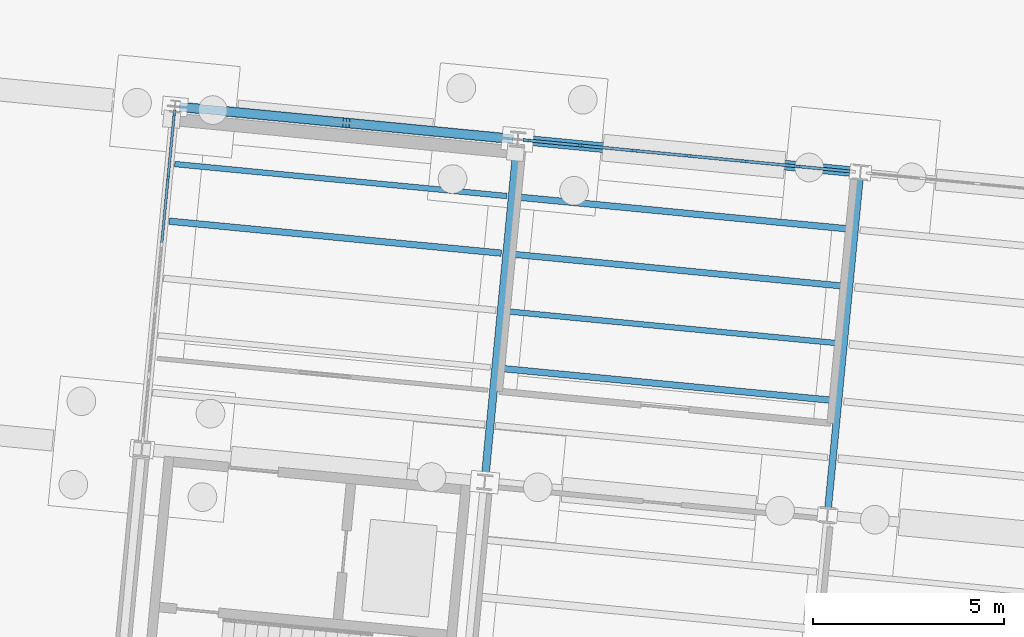
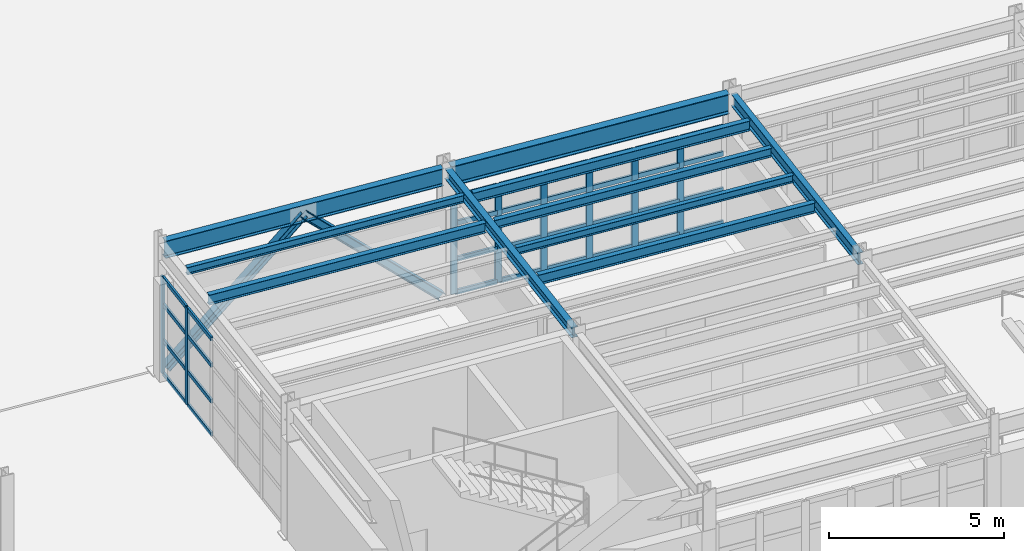
# One storey, part 50 of 108: 42 members, 10 beams, 2 elements without a shape of their own.
"""IFC4 building model written with IfcOpenShell, lengths in metres."""

from ifc_helpers import new_model, si_unit, direction, frame, origin, origin_2d, place, context, subcontext, project, spatial, rectangle, i_section, extrude, material, layer, layer_set, material_profile, profile_set, type_object, element, aggregate, save


model = new_model("IFC4")

# Units and contexts
model_context = context("Model", 3, precision=1e-05, world=origin(), true_north=direction((0.0, 1.0)))
body_context = subcontext(model_context, "Body", "Model", "MODEL_VIEW")
ifc_project = project(units=[si_unit("LENGTHUNIT", "METRE"), si_unit("AREAUNIT", "SQUARE_METRE"), si_unit("VOLUMEUNIT", "CUBIC_METRE"), si_unit("PLANEANGLEUNIT", "RADIAN"), si_unit("MASSUNIT", "GRAM", prefix="KILO")], contexts=[model_context])

# Site, building, storey
site_placement = place(None, origin())
site = spatial("IfcSite", under=ifc_project, at=site_placement, CompositionType="ELEMENT")
building_placement = place(site_placement, origin())
building = spatial("IfcBuilding", under=site, at=building_placement, Name="Vireo Bluff Cable Station", CompositionType="ELEMENT")
storey_placement = place(building_placement, origin())
storey = spatial("IfcBuildingStorey", under=building, at=storey_placement, Name="L00", CompositionType="ELEMENT", Elevation=0.0)

# Beams
ifc_material_1 = material(Name="Steel ASTM A992 Gr. 50", Category="steel")
ifc_material_profile_1 = material_profile(ifc_material_1, i_section(OverallWidth=0.2041015625, OverallDepth=0.35009765625, WebThickness=0.008544921875, FlangeThickness=0.01513671875, FilletRadius=0.010009765625, at=origin_2d()), Name="W14X48")
ifc_profile_set_1 = profile_set([ifc_material_profile_1], Name="Steel ASTM A992 Gr. 50")
beam_type_1 = type_object("IfcBeamType", Name="BM-W14X48", PredefinedType="BEAM", material=ifc_profile_set_1)
beam_1_placement = place(storey_placement, frame((77.57080078125, 75.21923828125, 4.364990234375), z_axis=(0.095844105487, 0.995396356957, 0.0), x_axis=(-0.995396356957, 0.095844105487, 0.0)))
element("IfcBeam", 1, at=beam_1_placement, inside=storey, type_object=beam_type_1, Name="V3 L00 beam 616", PredefinedType="BEAM", context=body_context, shape_type="SweptSolid", body=[
    extrude(i_section(OverallWidth=0.2041015625, OverallDepth=0.35009765625, WebThickness=0.008544921875, FlangeThickness=0.01513671875, FilletRadius=0.010009765625, at=origin_2d()), origin(), (0.0, 0.0, 1.0), 8.760009765625),
])
ifc_material_profile_2 = material_profile(ifc_material_1, i_section(OverallWidth=0.180908203125, OverallDepth=0.4169921875, WebThickness=0.010986328125, FlangeThickness=0.018310546875, FilletRadius=0.010009765625, at=origin_2d()), Name="W16X57")
ifc_profile_set_2 = profile_set([ifc_material_profile_2], Name="Steel ASTM A992 Gr. 50")
beam_type_2 = type_object("IfcBeamType", Name="BM-W16X57", PredefinedType="BEAM", material=ifc_profile_set_2)
beam_2_placement = place(storey_placement, frame((86.529296875, 74.356689453125, 4.33154296875), z_axis=(0.095844105487, 0.995396356957, 0.0), x_axis=(-0.995396356957, 0.095844105487, 0.0)))
element("IfcBeam", 2, at=beam_2_placement, inside=storey, type_object=beam_type_2, Name="V3 L00 beam 618", PredefinedType="BEAM", context=body_context, shape_type="SweptSolid", body=[
    extrude(i_section(OverallWidth=0.180908203125, OverallDepth=0.4169921875, WebThickness=0.010986328125, FlangeThickness=0.018310546875, FilletRadius=0.010009765625, at=origin_2d()), origin(), (0.0, 0.0, 1.0), 8.760009765625),
])

# Members
ifc_material_profile_3 = material_profile(ifc_material_1, i_section(OverallWidth=0.2548828125, OverallDepth=0.256103515625, WebThickness=0.009521484375, FlangeThickness=0.015625, FilletRadius=0.009033203125, at=origin_2d()), Name="W10X54")
ifc_profile_set_3 = profile_set([ifc_material_profile_3], Name="Steel ASTM A992 Gr. 50")
member_type_1 = type_object("IfcMemberType", Name="BRC-02", PredefinedType="BRACE", material=ifc_profile_set_3)
member_1_placement = place(storey_placement, frame((69.62255859375, 84.90576171875, 0.0400390625), z_axis=(0.720263828031, -0.069360246565, 0.690224002934), x_axis=(0.095854965264, 0.995395311238, 0.0)))
element("IfcMember", 3, at=member_1_placement, inside=storey, type_object=member_type_1, Name="V3 L00 concentric brace 49L", PredefinedType="BRACE", context=body_context, shape_type="SweptSolid", body=[
    extrude(i_section(OverallWidth=0.2548828125, OverallDepth=0.256103515625, WebThickness=0.009521484375, FlangeThickness=0.015625, FilletRadius=0.009033203125, at=origin_2d()), origin(), (0.0, 0.0, 1.0), 5.997802734375),
])
ifc_material_profile_4 = material_profile(ifc_material_1, i_section(OverallWidth=0.257080078125, OverallDepth=0.263916015625, WebThickness=0.011962890625, FlangeThickness=0.01953125, FilletRadius=0.009033203125, at=origin_2d()), Name="W10X68")
ifc_profile_set_4 = profile_set([ifc_material_profile_4], Name="Steel ASTM A992 Gr. 50")
member_type_2 = type_object("IfcMemberType", Name="BRC-03", PredefinedType="BRACE", material=ifc_profile_set_4)
member_2_placement = place(storey_placement, frame((78.2626953125, 84.07373046875, 0.0400390625), z_axis=(-0.720263828031, 0.069360246565, 0.690224002934), x_axis=(-0.095854965264, -0.995395311238, 0.0)))
element("IfcMember", 4, at=member_2_placement, inside=storey, type_object=member_type_2, Name="V3 L00 concentric brace 50R", PredefinedType="BRACE", context=body_context, shape_type="SweptSolid", body=[
    extrude(i_section(OverallWidth=0.257080078125, OverallDepth=0.263916015625, WebThickness=0.011962890625, FlangeThickness=0.01953125, FilletRadius=0.009033203125, at=origin_2d()), origin(), (0.0, 0.0, 1.0), 5.997802734375),
])

# Curtain wall, members
ifc_material_2 = material(Name="Anodized Aluminium 6063-T6", Category="aluminium")
ifc_layer_1 = layer(ifc_material_2, 0.179931640625, Name="Anodized Aluminium 6063-T6")
ifc_layer_set_1 = layer_set([ifc_layer_1], Name="Anodized Aluminium 6063-T6")
curtain_wall_type_1 = type_object("IfcCurtainWallType", Name="CW-UNIT-1650", PredefinedType="USERDEFINED", material=ifc_layer_set_1)
curtain_wall_1_placement = place(storey_placement, origin())
curtain_wall_1 = element("IfcCurtainWall", 5, at=curtain_wall_1_placement, inside=storey, type_object=curtain_wall_type_1, Name="V3 L00 west curtain wall CW-068", ObjectType="UNITISED CURTAIN WALL", PredefinedType="USERDEFINED")
ifc_material_profile_5 = material_profile(ifc_material_2, rectangle(XDim=0.06494140625, YDim=0.179931640625, at=origin_2d()), Name="ALU-M-65X180")
ifc_profile_set_5 = profile_set([ifc_material_profile_5], Name="Anodized Aluminium 6063-T6")
member_type_3 = type_object("IfcMemberType", Name="CWM-01", PredefinedType="MULLION", material=ifc_profile_set_5)
member_3_placement = place(storey_placement, frame((69.282958984375, 83.0478515625, 0.0), z_axis=(0.0, 0.0, 1.0), x_axis=(-0.995396199521, 0.095845740533, 0.0)))
member_3 = element("IfcMember", 6, at=member_3_placement, type_object=member_type_3, Name="CW-068 mullion 5", PredefinedType="MULLION", context=body_context, shape_type="SweptSolid", body=[
    extrude(rectangle(XDim=0.06494140625, YDim=0.179931640625, at=origin_2d()), origin(), (0.0, 0.0, 1.0), 3.39990234375),
])
member_4_placement = place(storey_placement, frame((69.4453125, 84.734375, 0.0), z_axis=(0.0, 0.0, 1.0), x_axis=(-0.995396199521, 0.095845740533, 0.0)))
member_4 = element("IfcMember", 7, at=member_4_placement, type_object=member_type_3, Name="CW-068 mullion 6", PredefinedType="MULLION", context=body_context, shape_type="SweptSolid", body=[
    extrude(rectangle(XDim=0.06494140625, YDim=0.179931640625, at=origin_2d()), origin(), (0.0, 0.0, 1.0), 3.39990234375),
])

ifc_layer_2 = layer(ifc_material_2, 0.179931640625, Name="Anodized Aluminium 6063-T6")
ifc_layer_set_2 = layer_set([ifc_layer_2], Name="Anodized Aluminium 6063-T6")
curtain_wall_type_2 = type_object("IfcCurtainWallType", Name="CW-UNIT-1400", PredefinedType="USERDEFINED", material=ifc_layer_set_2)
curtain_wall_2_placement = place(storey_placement, origin())
curtain_wall_2 = element("IfcCurtainWall", 8, at=curtain_wall_2_placement, inside=storey, type_object=curtain_wall_type_2, Name="V3 L00 north curtain wall CW-069", ObjectType="UNITISED CURTAIN WALL", PredefinedType="USERDEFINED")
ifc_material_profile_6 = material_profile(ifc_material_2, rectangle(XDim=0.074951171875, YDim=0.2099609375, at=origin_2d()), Name="ALU-M-75X210")
ifc_profile_set_6 = profile_set([ifc_material_profile_6], Name="Anodized Aluminium 6063-T6")
member_type_4 = type_object("IfcMemberType", Name="CWM-02", PredefinedType="MULLION", material=ifc_profile_set_6)
member_5_placement = place(storey_placement, frame((78.663330078125, 84.03515625, 0.0), z_axis=(0.0, 0.0, 1.0), x_axis=(0.095845678199, 0.995396205524, 0.0)))
member_5 = element("IfcMember", 9, at=member_5_placement, type_object=member_type_4, Name="CW-069 mullion 1", PredefinedType="MULLION", context=body_context, shape_type="SweptSolid", body=[
    extrude(rectangle(XDim=0.074951171875, YDim=0.2099609375, at=origin_2d()), origin(), (0.0, 0.0, 1.0), 3.39990234375),
])
member_6_placement = place(storey_placement, frame((80.051513671875, 83.901611328125, 0.0), z_axis=(0.0, 0.0, 1.0), x_axis=(0.095845678199, 0.995396205524, 0.0)))
member_6 = element("IfcMember", 10, at=member_6_placement, type_object=member_type_4, Name="CW-069 mullion 2", PredefinedType="MULLION", context=body_context, shape_type="SweptSolid", body=[
    extrude(rectangle(XDim=0.074951171875, YDim=0.2099609375, at=origin_2d()), origin(), (0.0, 0.0, 1.0), 3.39990234375),
])
member_7_placement = place(storey_placement, frame((81.476806640625, 83.76416015625, 0.0), z_axis=(0.0, 0.0, 1.0), x_axis=(0.095845678199, 0.995396205524, 0.0)))
member_7 = element("IfcMember", 11, at=member_7_placement, type_object=member_type_4, Name="CW-069 mullion 3", PredefinedType="MULLION", context=body_context, shape_type="SweptSolid", body=[
    extrude(rectangle(XDim=0.074951171875, YDim=0.2099609375, at=origin_2d()), origin(), (0.0, 0.0, 1.0), 3.39990234375),
])
member_8_placement = place(storey_placement, frame((82.90234375, 83.626953125, 0.0), z_axis=(0.0, 0.0, 1.0), x_axis=(0.095845678199, 0.995396205524, 0.0)))
member_8 = element("IfcMember", 12, at=member_8_placement, type_object=member_type_4, Name="CW-069 mullion 4", PredefinedType="MULLION", context=body_context, shape_type="SweptSolid", body=[
    extrude(rectangle(XDim=0.074951171875, YDim=0.2099609375, at=origin_2d()), origin(), (0.0, 0.0, 1.0), 3.39990234375),
])
member_9_placement = place(storey_placement, frame((84.327880859375, 83.48974609375, 0.0), z_axis=(0.0, 0.0, 1.0), x_axis=(0.095845678199, 0.995396205524, 0.0)))
member_9 = element("IfcMember", 13, at=member_9_placement, type_object=member_type_4, Name="CW-069 mullion 5", PredefinedType="MULLION", context=body_context, shape_type="SweptSolid", body=[
    extrude(rectangle(XDim=0.074951171875, YDim=0.2099609375, at=origin_2d()), origin(), (0.0, 0.0, 1.0), 3.39990234375),
])
member_10_placement = place(storey_placement, frame((85.75341796875, 83.3525390625, 0.0), z_axis=(0.0, 0.0, 1.0), x_axis=(0.095845678199, 0.995396205524, 0.0)))
member_10 = element("IfcMember", 14, at=member_10_placement, type_object=member_type_4, Name="CW-069 mullion 6", PredefinedType="MULLION", context=body_context, shape_type="SweptSolid", body=[
    extrude(rectangle(XDim=0.074951171875, YDim=0.2099609375, at=origin_2d()), origin(), (0.0, 0.0, 1.0), 3.39990234375),
])

# Member
ifc_material_profile_7 = material_profile(ifc_material_2, rectangle(XDim=0.06494140625, YDim=0.139892578125, at=origin_2d()), Name="ALU-T-65X140")
ifc_profile_set_7 = profile_set([ifc_material_profile_7], Name="Anodized Aluminium 6063-T6")
member_type_5 = type_object("IfcMemberType", Name="CWT-01", PredefinedType="USERDEFINED", material=ifc_profile_set_7)
member_11_placement = place(storey_placement, frame((69.12060546875, 81.361083984375, 0.032470703125), z_axis=(0.095779585871, 0.995402567271, 0.0), x_axis=(-0.995402567271, 0.095779585871, 0.0)))
member_11 = element("IfcMember", 15, at=member_11_placement, type_object=member_type_5, Name="CW-068 transom 4.1", ObjectType="TRANSOM", PredefinedType="USERDEFINED", context=body_context, shape_type="SweptSolid", body=[
    extrude(rectangle(XDim=0.06494140625, YDim=0.139892578125, at=origin_2d()), origin(), (0.0, 0.0, 1.0), 1.661865234375),
])

member_12_placement = place(storey_placement, frame((69.12060546875, 81.361083984375, 1.18994140625), z_axis=(0.095779585871, 0.995402567271, 0.0), x_axis=(-0.995402567271, 0.095779585871, 0.0)))
member_12 = element("IfcMember", 16, at=member_12_placement, type_object=member_type_5, Name="CW-068 transom 4.2", ObjectType="TRANSOM", PredefinedType="USERDEFINED", context=body_context, shape_type="SweptSolid", body=[
    extrude(rectangle(XDim=0.06494140625, YDim=0.139892578125, at=origin_2d()), origin(), (0.0, 0.0, 1.0), 1.661865234375),
])

member_13_placement = place(storey_placement, frame((69.12060546875, 81.361083984375, 2.447998046875), z_axis=(0.095779585871, 0.995402567271, 0.0), x_axis=(-0.995402567271, 0.095779585871, 0.0)))
member_13 = element("IfcMember", 17, at=member_13_placement, type_object=member_type_5, Name="CW-068 transom 4.3", ObjectType="TRANSOM", PredefinedType="USERDEFINED", context=body_context, shape_type="SweptSolid", body=[
    extrude(rectangle(XDim=0.06494140625, YDim=0.139892578125, at=origin_2d()), origin(), (0.0, 0.0, 1.0), 1.661865234375),
])

member_14_placement = place(storey_placement, frame((69.12060546875, 81.361083984375, 3.367431640625), z_axis=(0.095779585871, 0.995402567271, 0.0), x_axis=(-0.995402567271, 0.095779585871, 0.0)))
member_14 = element("IfcMember", 18, at=member_14_placement, type_object=member_type_5, Name="CW-068 transom 4.4", ObjectType="TRANSOM", PredefinedType="USERDEFINED", context=body_context, shape_type="SweptSolid", body=[
    extrude(rectangle(XDim=0.06494140625, YDim=0.139892578125, at=origin_2d()), origin(), (0.0, 0.0, 1.0), 1.661865234375),
])

member_15_placement = place(storey_placement, frame((69.2861328125, 83.080078125, 0.032470703125), z_axis=(0.095749524096, 0.995405459416, 0.0), x_axis=(-0.995405459416, 0.095749524096, 0.0)))
member_15 = element("IfcMember", 19, at=member_15_placement, type_object=member_type_5, Name="CW-068 transom 5.1", ObjectType="TRANSOM", PredefinedType="USERDEFINED", context=body_context, shape_type="SweptSolid", body=[
    extrude(rectangle(XDim=0.06494140625, YDim=0.139892578125, at=origin_2d()), origin(), (0.0, 0.0, 1.0), 1.62939453125),
])

member_16_placement = place(storey_placement, frame((69.2861328125, 83.080078125, 1.18994140625), z_axis=(0.095749524096, 0.995405459416, 0.0), x_axis=(-0.995405459416, 0.095749524096, 0.0)))
member_16 = element("IfcMember", 20, at=member_16_placement, type_object=member_type_5, Name="CW-068 transom 5.2", ObjectType="TRANSOM", PredefinedType="USERDEFINED", context=body_context, shape_type="SweptSolid", body=[
    extrude(rectangle(XDim=0.06494140625, YDim=0.139892578125, at=origin_2d()), origin(), (0.0, 0.0, 1.0), 1.62939453125),
])

member_17_placement = place(storey_placement, frame((69.2861328125, 83.080078125, 2.447998046875), z_axis=(0.095749524096, 0.995405459416, 0.0), x_axis=(-0.995405459416, 0.095749524096, 0.0)))
member_17 = element("IfcMember", 21, at=member_17_placement, type_object=member_type_5, Name="CW-068 transom 5.3", ObjectType="TRANSOM", PredefinedType="USERDEFINED", context=body_context, shape_type="SweptSolid", body=[
    extrude(rectangle(XDim=0.06494140625, YDim=0.139892578125, at=origin_2d()), origin(), (0.0, 0.0, 1.0), 1.62939453125),
])

member_18_placement = place(storey_placement, frame((69.2861328125, 83.080078125, 3.367431640625), z_axis=(0.095749524096, 0.995405459416, 0.0), x_axis=(-0.995405459416, 0.095749524096, 0.0)))
member_18 = element("IfcMember", 22, at=member_18_placement, type_object=member_type_5, Name="CW-068 transom 5.4", ObjectType="TRANSOM", PredefinedType="USERDEFINED", context=body_context, shape_type="SweptSolid", body=[
    extrude(rectangle(XDim=0.06494140625, YDim=0.139892578125, at=origin_2d()), origin(), (0.0, 0.0, 1.0), 1.62939453125),
])

aggregate(curtain_wall_1, [member_3, member_4, member_11, member_12, member_13, member_14, member_15, member_16, member_17, member_18])

ifc_material_profile_8 = material_profile(ifc_material_2, rectangle(XDim=0.074951171875, YDim=0.159912109375, at=origin_2d()), Name="ALU-T-75X160")
ifc_profile_set_8 = profile_set([ifc_material_profile_8], Name="Anodized Aluminium 6063-T6")
member_type_6 = type_object("IfcMemberType", Name="CWT-02", PredefinedType="USERDEFINED", material=ifc_profile_set_8)
member_19_placement = place(storey_placement, frame((78.70068359375, 84.031494140625, 0.03759765625), z_axis=(0.99539681755, -0.095839321838, 0.0), x_axis=(0.095839321838, 0.99539681755, 0.0)))
member_19 = element("IfcMember", 23, at=member_19_placement, type_object=member_type_6, Name="CW-069 transom 1.1", ObjectType="TRANSOM", PredefinedType="USERDEFINED", context=body_context, shape_type="SweptSolid", body=[
    extrude(rectangle(XDim=0.074951171875, YDim=0.159912109375, at=origin_2d()), origin(), (0.0, 0.0, 1.0), 1.319580078125),
])

member_20_placement = place(storey_placement, frame((78.70068359375, 84.031494140625, 1.18994140625), z_axis=(0.99539681755, -0.095839321838, 0.0), x_axis=(0.095839321838, 0.99539681755, 0.0)))
member_20 = element("IfcMember", 24, at=member_20_placement, type_object=member_type_6, Name="CW-069 transom 1.2", ObjectType="TRANSOM", PredefinedType="USERDEFINED", context=body_context, shape_type="SweptSolid", body=[
    extrude(rectangle(XDim=0.074951171875, YDim=0.159912109375, at=origin_2d()), origin(), (0.0, 0.0, 1.0), 1.319580078125),
])

member_21_placement = place(storey_placement, frame((78.70068359375, 84.031494140625, 2.447998046875), z_axis=(0.99539681755, -0.095839321838, 0.0), x_axis=(0.095839321838, 0.99539681755, 0.0)))
member_21 = element("IfcMember", 25, at=member_21_placement, type_object=member_type_6, Name="CW-069 transom 1.3", ObjectType="TRANSOM", PredefinedType="USERDEFINED", context=body_context, shape_type="SweptSolid", body=[
    extrude(rectangle(XDim=0.074951171875, YDim=0.159912109375, at=origin_2d()), origin(), (0.0, 0.0, 1.0), 1.319580078125),
])

member_22_placement = place(storey_placement, frame((78.70068359375, 84.031494140625, 3.362548828125), z_axis=(0.99539681755, -0.095839321838, 0.0), x_axis=(0.095839321838, 0.99539681755, 0.0)))
member_22 = element("IfcMember", 26, at=member_22_placement, type_object=member_type_6, Name="CW-069 transom 1.4", ObjectType="TRANSOM", PredefinedType="USERDEFINED", context=body_context, shape_type="SweptSolid", body=[
    extrude(rectangle(XDim=0.074951171875, YDim=0.159912109375, at=origin_2d()), origin(), (0.0, 0.0, 1.0), 1.319580078125),
])

member_23_placement = place(storey_placement, frame((80.0888671875, 83.89794921875, 0.03759765625), z_axis=(0.995392203651, -0.095887230173, 0.0), x_axis=(0.095887230173, 0.995392203651, 0.0)))
member_23 = element("IfcMember", 27, at=member_23_placement, type_object=member_type_6, Name="CW-069 transom 2.1", ObjectType="TRANSOM", PredefinedType="USERDEFINED", context=body_context, shape_type="SweptSolid", body=[
    extrude(rectangle(XDim=0.074951171875, YDim=0.159912109375, at=origin_2d()), origin(), (0.0, 0.0, 1.0), 1.357177734375),
])

member_24_placement = place(storey_placement, frame((80.0888671875, 83.89794921875, 1.18994140625), z_axis=(0.995392203651, -0.095887230173, 0.0), x_axis=(0.095887230173, 0.995392203651, 0.0)))
member_24 = element("IfcMember", 28, at=member_24_placement, type_object=member_type_6, Name="CW-069 transom 2.2", ObjectType="TRANSOM", PredefinedType="USERDEFINED", context=body_context, shape_type="SweptSolid", body=[
    extrude(rectangle(XDim=0.074951171875, YDim=0.159912109375, at=origin_2d()), origin(), (0.0, 0.0, 1.0), 1.357177734375),
])

member_25_placement = place(storey_placement, frame((80.0888671875, 83.89794921875, 2.447998046875), z_axis=(0.995392203651, -0.095887230173, 0.0), x_axis=(0.095887230173, 0.995392203651, 0.0)))
member_25 = element("IfcMember", 29, at=member_25_placement, type_object=member_type_6, Name="CW-069 transom 2.3", ObjectType="TRANSOM", PredefinedType="USERDEFINED", context=body_context, shape_type="SweptSolid", body=[
    extrude(rectangle(XDim=0.074951171875, YDim=0.159912109375, at=origin_2d()), origin(), (0.0, 0.0, 1.0), 1.357177734375),
])

member_26_placement = place(storey_placement, frame((80.0888671875, 83.89794921875, 3.362548828125), z_axis=(0.995392203651, -0.095887230173, 0.0), x_axis=(0.095887230173, 0.995392203651, 0.0)))
member_26 = element("IfcMember", 30, at=member_26_placement, type_object=member_type_6, Name="CW-069 transom 2.4", ObjectType="TRANSOM", PredefinedType="USERDEFINED", context=body_context, shape_type="SweptSolid", body=[
    extrude(rectangle(XDim=0.074951171875, YDim=0.159912109375, at=origin_2d()), origin(), (0.0, 0.0, 1.0), 1.357177734375),
])

member_27_placement = place(storey_placement, frame((81.51416015625, 83.7607421875, 0.03759765625), z_axis=(0.995392203651, -0.095887230173, 0.0), x_axis=(0.095887230173, 0.995392203651, 0.0)))
member_27 = element("IfcMember", 31, at=member_27_placement, type_object=member_type_6, Name="CW-069 transom 3.1", ObjectType="TRANSOM", PredefinedType="USERDEFINED", context=body_context, shape_type="SweptSolid", body=[
    extrude(rectangle(XDim=0.074951171875, YDim=0.159912109375, at=origin_2d()), origin(), (0.0, 0.0, 1.0), 1.357177734375),
])

member_28_placement = place(storey_placement, frame((81.51416015625, 83.7607421875, 1.18994140625), z_axis=(0.995392203651, -0.095887230173, 0.0), x_axis=(0.095887230173, 0.995392203651, 0.0)))
member_28 = element("IfcMember", 32, at=member_28_placement, type_object=member_type_6, Name="CW-069 transom 3.2", ObjectType="TRANSOM", PredefinedType="USERDEFINED", context=body_context, shape_type="SweptSolid", body=[
    extrude(rectangle(XDim=0.074951171875, YDim=0.159912109375, at=origin_2d()), origin(), (0.0, 0.0, 1.0), 1.357177734375),
])

member_29_placement = place(storey_placement, frame((81.51416015625, 83.7607421875, 2.447998046875), z_axis=(0.995392203651, -0.095887230173, 0.0), x_axis=(0.095887230173, 0.995392203651, 0.0)))
member_29 = element("IfcMember", 33, at=member_29_placement, type_object=member_type_6, Name="CW-069 transom 3.3", ObjectType="TRANSOM", PredefinedType="USERDEFINED", context=body_context, shape_type="SweptSolid", body=[
    extrude(rectangle(XDim=0.074951171875, YDim=0.159912109375, at=origin_2d()), origin(), (0.0, 0.0, 1.0), 1.357177734375),
])

member_30_placement = place(storey_placement, frame((81.51416015625, 83.7607421875, 3.362548828125), z_axis=(0.995392203651, -0.095887230173, 0.0), x_axis=(0.095887230173, 0.995392203651, 0.0)))
member_30 = element("IfcMember", 34, at=member_30_placement, type_object=member_type_6, Name="CW-069 transom 3.4", ObjectType="TRANSOM", PredefinedType="USERDEFINED", context=body_context, shape_type="SweptSolid", body=[
    extrude(rectangle(XDim=0.074951171875, YDim=0.159912109375, at=origin_2d()), origin(), (0.0, 0.0, 1.0), 1.357177734375),
])

member_31_placement = place(storey_placement, frame((82.939697265625, 83.623291015625, 0.03759765625), z_axis=(0.99540935871, -0.095708978643, 0.0), x_axis=(0.095708978643, 0.99540935871, 0.0)))
member_31 = element("IfcMember", 35, at=member_31_placement, type_object=member_type_6, Name="CW-069 transom 4.1", ObjectType="TRANSOM", PredefinedType="USERDEFINED", context=body_context, shape_type="SweptSolid", body=[
    extrude(rectangle(XDim=0.074951171875, YDim=0.159912109375, at=origin_2d()), origin(), (0.0, 0.0, 1.0), 1.357177734375),
])

member_32_placement = place(storey_placement, frame((82.939697265625, 83.623291015625, 1.18994140625), z_axis=(0.99540935871, -0.095708978643, 0.0), x_axis=(0.095708978643, 0.99540935871, 0.0)))
member_32 = element("IfcMember", 36, at=member_32_placement, type_object=member_type_6, Name="CW-069 transom 4.2", ObjectType="TRANSOM", PredefinedType="USERDEFINED", context=body_context, shape_type="SweptSolid", body=[
    extrude(rectangle(XDim=0.074951171875, YDim=0.159912109375, at=origin_2d()), origin(), (0.0, 0.0, 1.0), 1.357177734375),
])

member_33_placement = place(storey_placement, frame((82.939697265625, 83.623291015625, 2.447998046875), z_axis=(0.99540935871, -0.095708978643, 0.0), x_axis=(0.095708978643, 0.99540935871, 0.0)))
member_33 = element("IfcMember", 37, at=member_33_placement, type_object=member_type_6, Name="CW-069 transom 4.3", ObjectType="TRANSOM", PredefinedType="USERDEFINED", context=body_context, shape_type="SweptSolid", body=[
    extrude(rectangle(XDim=0.074951171875, YDim=0.159912109375, at=origin_2d()), origin(), (0.0, 0.0, 1.0), 1.357177734375),
])

member_34_placement = place(storey_placement, frame((82.939697265625, 83.623291015625, 3.362548828125), z_axis=(0.99540935871, -0.095708978643, 0.0), x_axis=(0.095708978643, 0.99540935871, 0.0)))
member_34 = element("IfcMember", 38, at=member_34_placement, type_object=member_type_6, Name="CW-069 transom 4.4", ObjectType="TRANSOM", PredefinedType="USERDEFINED", context=body_context, shape_type="SweptSolid", body=[
    extrude(rectangle(XDim=0.074951171875, YDim=0.159912109375, at=origin_2d()), origin(), (0.0, 0.0, 1.0), 1.357177734375),
])

member_35_placement = place(storey_placement, frame((84.365234375, 83.486083984375, 0.03759765625), z_axis=(0.995392203651, -0.095887230173, 0.0), x_axis=(0.095887230173, 0.995392203651, 0.0)))
member_35 = element("IfcMember", 39, at=member_35_placement, type_object=member_type_6, Name="CW-069 transom 5.1", ObjectType="TRANSOM", PredefinedType="USERDEFINED", context=body_context, shape_type="SweptSolid", body=[
    extrude(rectangle(XDim=0.074951171875, YDim=0.159912109375, at=origin_2d()), origin(), (0.0, 0.0, 1.0), 1.357177734375),
])

member_36_placement = place(storey_placement, frame((84.365234375, 83.486083984375, 1.18994140625), z_axis=(0.995392203651, -0.095887230173, 0.0), x_axis=(0.095887230173, 0.995392203651, 0.0)))
member_36 = element("IfcMember", 40, at=member_36_placement, type_object=member_type_6, Name="CW-069 transom 5.2", ObjectType="TRANSOM", PredefinedType="USERDEFINED", context=body_context, shape_type="SweptSolid", body=[
    extrude(rectangle(XDim=0.074951171875, YDim=0.159912109375, at=origin_2d()), origin(), (0.0, 0.0, 1.0), 1.357177734375),
])

member_37_placement = place(storey_placement, frame((84.365234375, 83.486083984375, 2.447998046875), z_axis=(0.995392203651, -0.095887230173, 0.0), x_axis=(0.095887230173, 0.995392203651, 0.0)))
member_37 = element("IfcMember", 41, at=member_37_placement, type_object=member_type_6, Name="CW-069 transom 5.3", ObjectType="TRANSOM", PredefinedType="USERDEFINED", context=body_context, shape_type="SweptSolid", body=[
    extrude(rectangle(XDim=0.074951171875, YDim=0.159912109375, at=origin_2d()), origin(), (0.0, 0.0, 1.0), 1.357177734375),
])

member_38_placement = place(storey_placement, frame((84.365234375, 83.486083984375, 3.362548828125), z_axis=(0.995392203651, -0.095887230173, 0.0), x_axis=(0.095887230173, 0.995392203651, 0.0)))
member_38 = element("IfcMember", 42, at=member_38_placement, type_object=member_type_6, Name="CW-069 transom 5.4", ObjectType="TRANSOM", PredefinedType="USERDEFINED", context=body_context, shape_type="SweptSolid", body=[
    extrude(rectangle(XDim=0.074951171875, YDim=0.159912109375, at=origin_2d()), origin(), (0.0, 0.0, 1.0), 1.357177734375),
])

member_39_placement = place(storey_placement, frame((85.790771484375, 83.348876953125, 0.03759765625), z_axis=(0.99539681755, -0.095839321838, 0.0), x_axis=(0.095839321838, 0.99539681755, 0.0)))
member_39 = element("IfcMember", 43, at=member_39_placement, type_object=member_type_6, Name="CW-069 transom 6.1", ObjectType="TRANSOM", PredefinedType="USERDEFINED", context=body_context, shape_type="SweptSolid", body=[
    extrude(rectangle(XDim=0.074951171875, YDim=0.159912109375, at=origin_2d()), origin(), (0.0, 0.0, 1.0), 1.319580078125),
])

member_40_placement = place(storey_placement, frame((85.790771484375, 83.348876953125, 1.18994140625), z_axis=(0.99539681755, -0.095839321838, 0.0), x_axis=(0.095839321838, 0.99539681755, 0.0)))
member_40 = element("IfcMember", 44, at=member_40_placement, type_object=member_type_6, Name="CW-069 transom 6.2", ObjectType="TRANSOM", PredefinedType="USERDEFINED", context=body_context, shape_type="SweptSolid", body=[
    extrude(rectangle(XDim=0.074951171875, YDim=0.159912109375, at=origin_2d()), origin(), (0.0, 0.0, 1.0), 1.319580078125),
])

member_41_placement = place(storey_placement, frame((85.790771484375, 83.348876953125, 2.447998046875), z_axis=(0.99539681755, -0.095839321838, 0.0), x_axis=(0.095839321838, 0.99539681755, 0.0)))
member_41 = element("IfcMember", 45, at=member_41_placement, type_object=member_type_6, Name="CW-069 transom 6.3", ObjectType="TRANSOM", PredefinedType="USERDEFINED", context=body_context, shape_type="SweptSolid", body=[
    extrude(rectangle(XDim=0.074951171875, YDim=0.159912109375, at=origin_2d()), origin(), (0.0, 0.0, 1.0), 1.319580078125),
])

member_42_placement = place(storey_placement, frame((85.790771484375, 83.348876953125, 3.362548828125), z_axis=(0.99539681755, -0.095839321838, 0.0), x_axis=(0.095839321838, 0.99539681755, 0.0)))
member_42 = element("IfcMember", 46, at=member_42_placement, type_object=member_type_6, Name="CW-069 transom 6.4", ObjectType="TRANSOM", PredefinedType="USERDEFINED", context=body_context, shape_type="SweptSolid", body=[
    extrude(rectangle(XDim=0.074951171875, YDim=0.159912109375, at=origin_2d()), origin(), (0.0, 0.0, 1.0), 1.319580078125),
])

aggregate(curtain_wall_2, [member_5, member_6, member_7, member_8, member_9, member_10, member_19, member_20, member_21, member_22, member_23, member_24, member_25, member_26, member_27, member_28, member_29, member_30, member_31, member_32, member_33, member_34, member_35, member_36, member_37, member_38, member_39, member_40, member_41, member_42])

# Beams
ifc_material_profile_9 = material_profile(ifc_material_1, i_section(OverallWidth=0.14599609375, OverallDepth=0.259033203125, WebThickness=0.006103515625, FlangeThickness=0.009033203125, FilletRadius=0.009033203125, at=origin_2d()), Name="W10X22")
ifc_profile_set_9 = profile_set([ifc_material_profile_9], Name="Steel ASTM A992 Gr. 50")
beam_type_3 = type_object("IfcBeamType", Name="JST-W10X22", PredefinedType="JOIST", material=ifc_profile_set_9)
for number, where, z_axis, x_axis, name in (
    (47, (69.458984375, 83.41455078125, 4.410400390625), (0.995394243516, -0.095866052256, 0.0), (0.095866052256, 0.995394243516, 0.0), "V3 L00 composite joist 625"),
    (48, (78.1298828125, 79.565673828125, 4.410400390625), (0.995397172011, -0.095835640306, 0.0), (0.095835640306, 0.995397172011, 0.0), "V3 L00 composite joist 633"),
):
    element("IfcBeam", number, at=place(storey_placement, frame(where, z_axis=z_axis, x_axis=x_axis)), inside=storey, type_object=beam_type_3, Name=name, PredefinedType="JOIST", context=body_context, shape_type="SweptSolid", body=[
        extrude(i_section(OverallWidth=0.14599609375, OverallDepth=0.259033203125, WebThickness=0.006103515625, FlangeThickness=0.009033203125, FilletRadius=0.009033203125, at=origin_2d()), origin(), (0.0, 0.0, 1.0), 8.719970703125),
    ])
ifc_material_profile_10 = material_profile(ifc_material_1, i_section(OverallWidth=0.1650390625, OverallDepth=0.31005859375, WebThickness=0.005859375, FlangeThickness=0.009765625, FilletRadius=0.010009765625, at=origin_2d()), Name="W12X26")
ifc_profile_set_10 = profile_set([ifc_material_profile_10], Name="Steel ASTM A992 Gr. 50")
beam_type_4 = type_object("IfcBeamType", Name="JST-W12X26", PredefinedType="JOIST", material=ifc_profile_set_10)
beam_3_placement = place(storey_placement, frame((78.273681640625, 81.058837890625, 4.385009765625), z_axis=(0.995394500818, -0.095863380609, 0.0), x_axis=(0.095863380609, 0.995394500818, 0.0)))
element("IfcBeam", 49, at=beam_3_placement, inside=storey, type_object=beam_type_4, Name="V3 L00 composite joist 634", PredefinedType="JOIST", context=body_context, shape_type="SweptSolid", body=[
    extrude(i_section(OverallWidth=0.1650390625, OverallDepth=0.31005859375, WebThickness=0.005859375, FlangeThickness=0.009765625, FilletRadius=0.010009765625, at=origin_2d()), origin(), (0.0, 0.0, 1.0), 8.719970703125),
])
ifc_material_profile_11 = material_profile(ifc_material_1, i_section(OverallWidth=0.1708984375, OverallDepth=0.35107421875, WebThickness=0.0068359375, FlangeThickness=0.009765625, FilletRadius=0.010009765625, at=origin_2d()), Name="W14X30")
ifc_profile_set_11 = profile_set([ifc_material_profile_11], Name="Steel ASTM A992 Gr. 50")
beam_type_5 = type_object("IfcBeamType", Name="JST-W14X30", PredefinedType="JOIST", material=ifc_profile_set_11)
beam_4_placement = place(storey_placement, frame((69.315185546875, 81.92138671875, 4.364501953125), z_axis=(0.995396914857, -0.095838311194, 0.0), x_axis=(0.095838311194, 0.995396914857, 0.0)))
element("IfcBeam", 50, at=beam_4_placement, inside=storey, type_object=beam_type_5, Name="V3 L00 composite joist 624", PredefinedType="JOIST", context=body_context, shape_type="SweptSolid", body=[
    extrude(i_section(OverallWidth=0.1708984375, OverallDepth=0.35107421875, WebThickness=0.0068359375, FlangeThickness=0.009765625, FilletRadius=0.010009765625, at=origin_2d()), origin(), (0.0, 0.0, 1.0), 8.7197265625),
])
for number, where, z_axis, x_axis, name in (
    (51, (77.986083984375, 78.072509765625, 4.364501953125), (0.995397172011, -0.095835640306, 0.0), (0.095835640306, 0.995397172011, 0.0), "V3 L00 composite joist 632"),
    (52, (78.41748046875, 82.552001953125, 4.364501953125), (0.995394500818, -0.095863380609, 0.0), (0.095863380609, 0.995394500818, 0.0), "V3 L00 composite joist 635"),
):
    element("IfcBeam", number, at=place(storey_placement, frame(where, z_axis=z_axis, x_axis=x_axis)), inside=storey, type_object=beam_type_5, Name=name, PredefinedType="JOIST", context=body_context, shape_type="SweptSolid", body=[
        extrude(i_section(OverallWidth=0.1708984375, OverallDepth=0.35107421875, WebThickness=0.0068359375, FlangeThickness=0.009765625, FilletRadius=0.010009765625, at=origin_2d()), origin(), (0.0, 0.0, 1.0), 8.719970703125),
    ])
ifc_material_profile_12 = material_profile(ifc_material_1, i_section(OverallWidth=0.22802734375, OverallDepth=0.60693359375, WebThickness=0.01123046875, FlangeThickness=0.017333984375, FilletRadius=0.012939453125, at=origin_2d()), Name="W24X76")
ifc_profile_set_12 = profile_set([ifc_material_profile_12], Name="Steel ASTM A992 Gr. 50")
beam_type_6 = type_object("IfcBeamType", Name="SPN-W24X76", PredefinedType="SPANDREL", material=ifc_profile_set_12)
beam_5_placement = place(storey_placement, frame((69.582763671875, 84.909423828125, 4.236572265625), z_axis=(0.995396356957, -0.095844105487, 0.0), x_axis=(0.095844105487, 0.995396356957, 0.0)))
element("IfcBeam", 53, at=beam_5_placement, inside=storey, type_object=beam_type_6, Name="V3 L00 spandrel 610", PredefinedType="SPANDREL", context=body_context, shape_type="SweptSolid", body=[
    extrude(i_section(OverallWidth=0.22802734375, OverallDepth=0.60693359375, WebThickness=0.01123046875, FlangeThickness=0.017333984375, FilletRadius=0.012939453125, at=origin_2d()), origin(), (0.0, 0.0, 1.0), 8.760009765625),
])
ifc_material_profile_13 = material_profile(ifc_material_1, i_section(OverallWidth=0.257080078125, OverallDepth=0.693115234375, WebThickness=0.014404296875, FlangeThickness=0.023681640625, FilletRadius=0.014892578125, at=origin_2d()), Name="W27X114")
ifc_profile_set_13 = profile_set([ifc_material_profile_13], Name="Steel ASTM A992 Gr. 50")
beam_type_7 = type_object("IfcBeamType", Name="SPN-W27X114", PredefinedType="SPANDREL", material=ifc_profile_set_13)
beam_6_placement = place(storey_placement, frame((78.541259765625, 84.046875, 4.193603515625), z_axis=(0.995396356957, -0.095844105487, 0.0), x_axis=(0.095844105487, 0.995396356957, 0.0)))
element("IfcBeam", 54, at=beam_6_placement, inside=storey, type_object=beam_type_7, Name="V3 L00 spandrel 611", PredefinedType="SPANDREL", context=body_context, shape_type="SweptSolid", body=[
    extrude(i_section(OverallWidth=0.257080078125, OverallDepth=0.693115234375, WebThickness=0.014404296875, FlangeThickness=0.023681640625, FilletRadius=0.014892578125, at=origin_2d()), origin(), (0.0, 0.0, 1.0), 8.760009765625),
])

save(model, "model.ifc")
